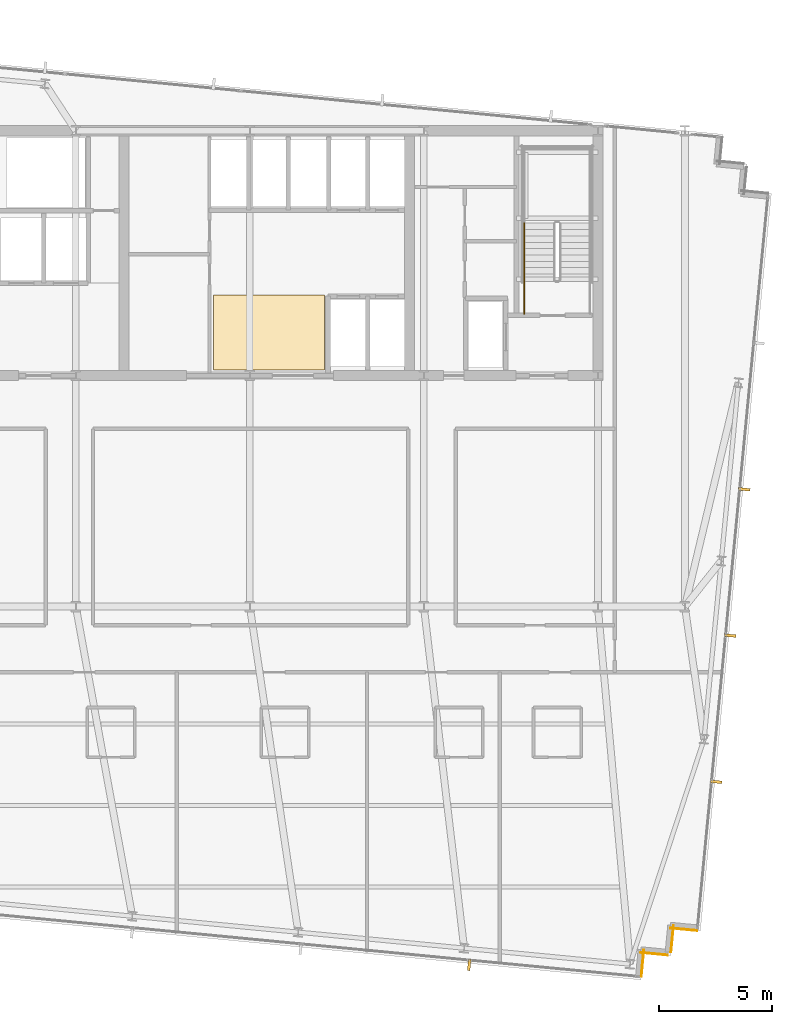
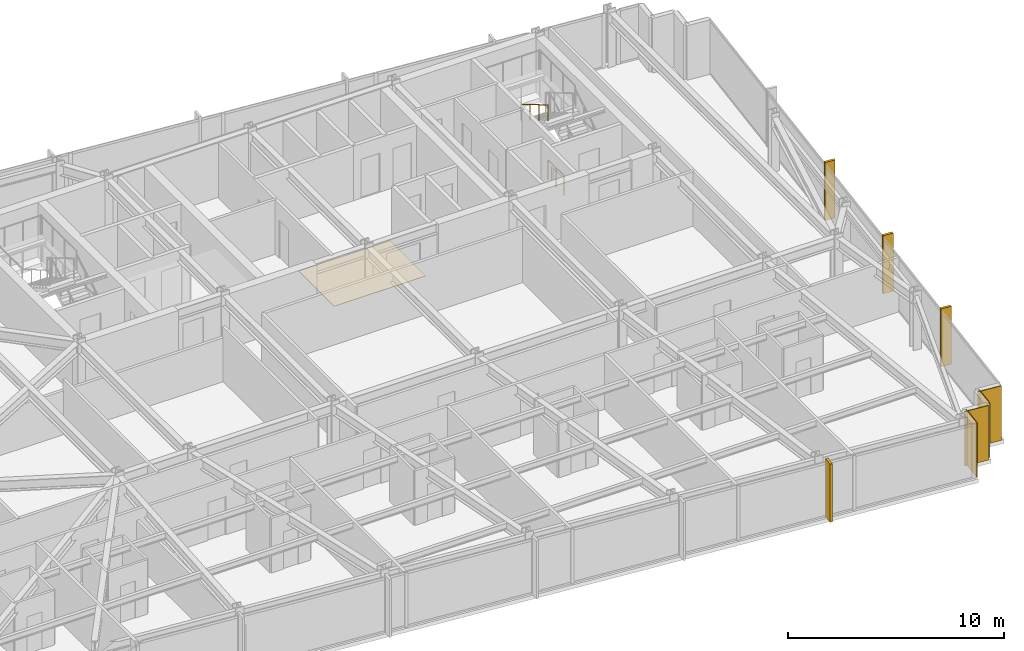
# One storey, part 34 of 37: 5 coverings, 4 shading devices, 2 railings.
"""IFC4 building model written with IfcOpenShell, lengths in metres."""

from ifc_helpers import new_model, si_unit, direction, frame, frame_2d, origin, origin_2d, place, context, subcontext, project, spatial, polyline, rectangle, circle, outline, extrude, material, layer, layer_set, type_object, element, save


model = new_model("IFC4")

# Units and contexts
model_context = context("Model", 3, precision=1e-05, world=origin(), true_north=direction((0.0, 1.0)))
body_context = subcontext(model_context, "Body", "Model", "MODEL_VIEW")
ifc_project = project(units=[si_unit("LENGTHUNIT", "METRE"), si_unit("AREAUNIT", "SQUARE_METRE"), si_unit("VOLUMEUNIT", "CUBIC_METRE"), si_unit("PLANEANGLEUNIT", "RADIAN"), si_unit("MASSUNIT", "GRAM", prefix="KILO")], contexts=[model_context])

# Site, building, storey
site_placement = place(None, origin())
site = spatial("IfcSite", under=ifc_project, at=site_placement, CompositionType="ELEMENT")
building_placement = place(site_placement, origin())
building = spatial("IfcBuilding", under=site, at=building_placement, Name="Yelkora Congress Tower", CompositionType="ELEMENT")
storey_placement = place(building_placement, frame((0.0, 0.0, 165.5)))
storey = spatial("IfcBuildingStorey", under=building, at=storey_placement, Name="L45", CompositionType="ELEMENT", Elevation=165.5)

# Coverings
ifc_material_1 = material(Name="Anatolian bush-hammered limestone", Category="masonry")
ifc_layer_1 = layer(ifc_material_1, 0.0400390625)
ifc_layer_set_1 = layer_set([ifc_layer_1], Name="Anatolian bush-hammered limestone")
covering_type_1 = type_object("IfcCoveringType", Name="COV-CLAD-SPANDREL-40", PredefinedType="CLADDING", material=ifc_layer_set_1)
covering_1_placement = place(storey_placement, frame((58.1474609375, 10.898681640625, 0.0), z_axis=(0.0, 0.0, 1.0), x_axis=(-0.995379537303, 0.096018626938, 0.0)))
element("IfcCovering", 1, at=covering_1_placement, inside=storey, type_object=covering_type_1, Name="L45 Anatolian Limestone Cladding EW-L45-SR16", PredefinedType="CLADDING", context=body_context, shape_type="SweptSolid", body=[
    extrude(rectangle(XDim=1.2001953125, YDim=0.0400390625, at=frame_2d((0.60009765625, 0.0))), origin(), (0.0, 0.0, 1.0), 3.080078125),
])
covering_2_placement = place(storey_placement, frame((57.10009765625, 11.13525390625, 0.0), z_axis=(0.0, 0.0, 1.0), x_axis=(-0.095836473879, -0.995397091755, 0.0)))
element("IfcCovering", 2, at=covering_2_placement, inside=storey, type_object=covering_type_1, Name="L45 Anatolian Limestone Cladding EW-L45-SR17", PredefinedType="CLADDING", context=body_context, shape_type="SweptSolid", body=[
    extrude(rectangle(XDim=1.199951171875, YDim=0.0400390625, at=frame_2d((0.60009765625, 0.0))), origin(), (0.0, 0.0, 1.0), 3.080078125),
])
for number, where, z_axis, x_axis, name in (
    (3, (56.837890625, 9.8193359375, 0.0), (0.0, 0.0, 1.0), (-0.995398960025, 0.095817067274, 0.0), "L45 Anatolian Limestone Cladding EW-L45-SR18"),
    (4, (55.790771484375, 10.055908203125, 0.0), (0.0, 0.0, 1.0), (-0.095817067274, -0.995398960025, 0.0), "L45 Anatolian Limestone Cladding EW-L45-SR19"),
):
    element("IfcCovering", number, at=place(storey_placement, frame(where, z_axis=z_axis, x_axis=x_axis)), inside=storey, type_object=covering_type_1, Name=name, PredefinedType="CLADDING", context=body_context, shape_type="SweptSolid", body=[
        extrude(rectangle(XDim=1.2001953125, YDim=0.0400390625, at=frame_2d((0.60009765625, 0.0))), origin(), (0.0, 0.0, 1.0), 3.080078125),
    ])
ifc_material_2 = material(Name="Polished Anatolian grey granite tile", Category="masonry")
ifc_layer_2 = layer(ifc_material_2, 0.02001953125)
ifc_layer_set_2 = layer_set([ifc_layer_2], Name="Polished Anatolian grey granite tile")
covering_type_2 = type_object("IfcCoveringType", Name="COV-FLOOR-GRANITE-20", PredefinedType="FLOORING", material=ifc_layer_set_2)
covering_3_placement = place(storey_placement, origin())
element("IfcCovering", 5, at=covering_3_placement, inside=storey, type_object=covering_type_2, Name="L45 Lift Lobby Granite Flooring", PredefinedType="FLOORING", context=body_context, shape_type="SweptSolid", body=[
    extrude(outline(polyline([(36.800048828125, 35.64990234375), (41.699951171875, 35.64990234375), (41.699951171875, 38.949951171875), (36.800048828125, 38.949951171875), (36.800048828125, 35.64990234375)])), origin(), (0.0, 0.0, 1.0), 0.02001953125),
])

# Railings
ifc_material_3 = material(Name="Painted galvanised steel stair well guard with vertical infill", Category="steel")
ifc_layer_3 = layer(ifc_material_3, 0.06005859375)
ifc_layer_set_3 = layer_set([ifc_layer_3], Name="Painted galvanised steel stair well guard with vertical infill")
railing_type_1 = type_object("IfcRailingType", Name="RAIL-STAIR-GUARD-1120", PredefinedType="GUARDRAIL", material=ifc_layer_set_3)
railing_1_placement = place(storey_placement, frame((50.510009765625, 38.1201171875, 0.0)))
element("IfcRailing", 6, at=railing_1_placement, inside=storey, type_object=railing_type_1, Name="ST-02 L45 Stair Well Guardrail 9", PredefinedType="GUARDRAIL", context=body_context, shape_type="SweptSolid", body=[
    extrude(circle(Radius=0.02392578125, at=origin_2d()), frame((0.0, 0.0, 1.09619140625), z_axis=(0.0, 1.0, 0.0), x_axis=(-1.0, 0.0, 0.0)), (0.0, 0.0, 1.0), 1.47998046875),
    extrude(circle(Radius=0.02099609375, at=origin_2d()), origin(), (0.0, 0.0, 1.0), 1.072021484375),
    extrude(circle(Radius=0.02099609375, at=origin_2d()), frame((0.0, 0.739990234375, 0.0)), (0.0, 0.0, 1.0), 1.072021484375),
    extrude(circle(Radius=0.02099609375, at=origin_2d()), frame((0.0, 1.47998046875, 0.0)), (0.0, 0.0, 1.0), 1.072021484375),
])
ifc_material_4 = material(Name="Brushed stainless steel tubular handrail", Category="steel")
ifc_layer_4 = layer(ifc_material_4, 0.050048828125)
ifc_layer_set_4 = layer_set([ifc_layer_4], Name="Brushed stainless steel tubular handrail")
railing_type_2 = type_object("IfcRailingType", Name="RAIL-STAIR-HAND-920", PredefinedType="HANDRAIL", material=ifc_layer_set_4)
railing_2_placement = place(storey_placement, frame((50.510009765625, 42.1201171875, 1.81494140625)))
element("IfcRailing", 7, at=railing_2_placement, inside=storey, type_object=railing_type_2, Name="ST-02 L45 Pitch Handrail 2", PredefinedType="HANDRAIL", context=body_context, shape_type="SweptSolid", body=[
    extrude(circle(Radius=0.02392578125, at=origin_2d()), frame((0.0, 0.0, 0.89599609375), z_axis=(0.0, -0.86152411907, 0.507716645641), x_axis=(1.0, 0.0, 0.0)), (0.0, 0.0, 1.0), 2.925048828125),
    extrude(circle(Radius=0.02099609375, at=origin_2d()), origin(), (0.0, 0.0, 1.0), 0.871826171875),
    extrude(circle(Radius=0.02099609375, at=origin_2d()), frame((0.0, -0.840087890625, 0.4951171875)), (0.0, 0.0, 1.0), 0.871826171875),
    extrude(circle(Radius=0.02099609375, at=origin_2d()), frame((0.0, -1.679931640625, 0.989990234375)), (0.0, 0.0, 1.0), 0.871826171875),
    extrude(circle(Radius=0.02099609375, at=origin_2d()), frame((0.0, -2.52001953125, 1.485107421875)), (0.0, 0.0, 1.0), 0.871826171875),
])

# Shading devices
ifc_material_5 = material(Name="Champagne anodised aluminium", Category="aluminium")
ifc_layer_5 = layer(ifc_material_5, 3.300048828125)
ifc_layer_set_5 = layer_set([ifc_layer_5], Name="Champagne anodised aluminium")
shading_device_type = type_object("IfcShadingDeviceType", Name="SHD-FIN-ALU-520", PredefinedType="USERDEFINED", material=ifc_layer_set_5)
for number, where, z_axis, x_axis, name in (
    (8, (60.223876953125, 30.37646484375, -0.02978515625), (0.0, 0.0, 1.0), (-0.09584575252, -0.995396198367, 0.0), "L45 Vertical Anodised Solar Fin 15-2"),
    (9, (59.602294921875, 23.92236328125, -0.02978515625), (0.0, 0.0, 1.0), (-0.09584575252, -0.995396198367, 0.0), "L45 Vertical Anodised Solar Fin 15-3"),
    (10, (58.98095703125, 17.46826171875, -0.02978515625), (0.0, 0.0, 1.0), (-0.09584575252, -0.995396198367, 0.0), "L45 Vertical Anodised Solar Fin 15-4"),
    (11, (48.082275390625, 9.3916015625, -0.02978515625), (0.0, 0.0, 1.0), (-0.995396198367, 0.09584575252, 0.0), "L45 Vertical Anodised Solar Fin 20-1"),
):
    element("IfcShadingDevice", number, at=place(storey_placement, frame(where, z_axis=z_axis, x_axis=x_axis)), inside=storey, type_object=shading_device_type, Name=name, ObjectType="FIN", PredefinedType="USERDEFINED", context=body_context, shape_type="SweptSolid", body=[
        extrude(rectangle(XDim=0.1201171875, YDim=0.52001953125, at=origin_2d()), origin(), (0.0, 0.0, 1.0), 3.280029296875),
    ])

save(model, "model.ifc")
